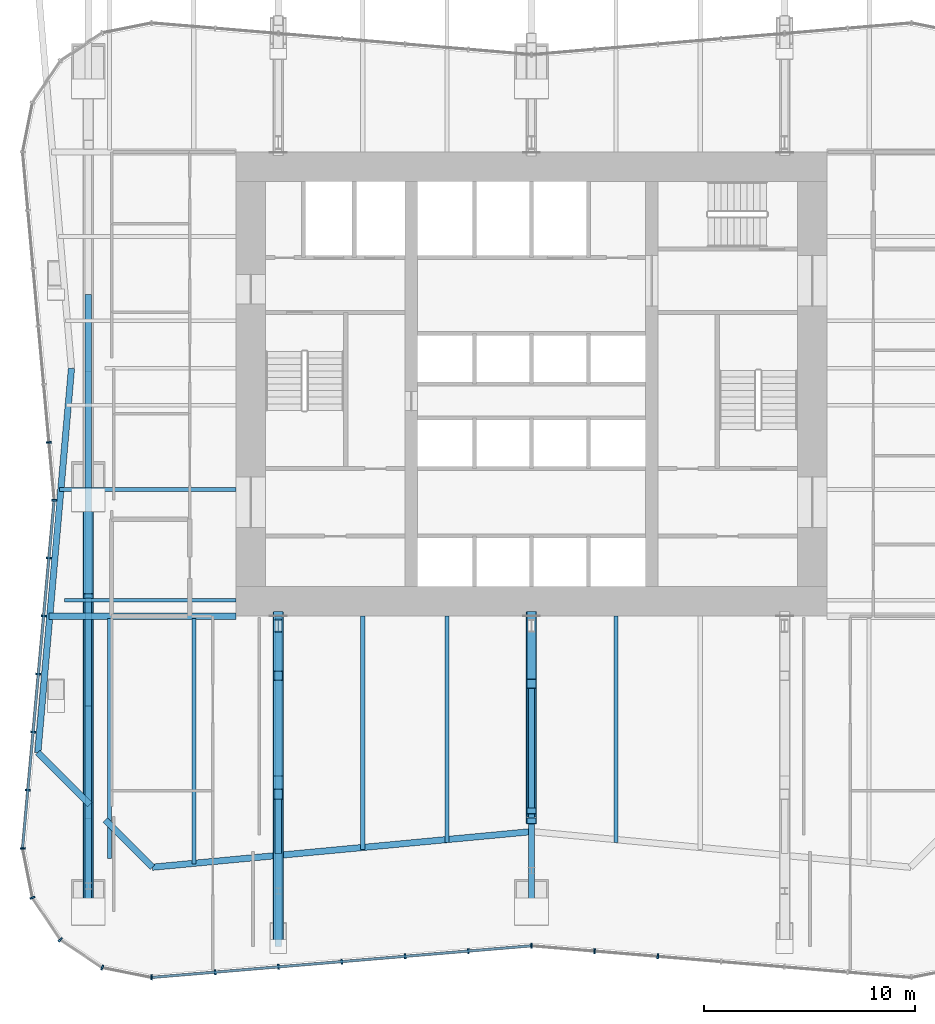
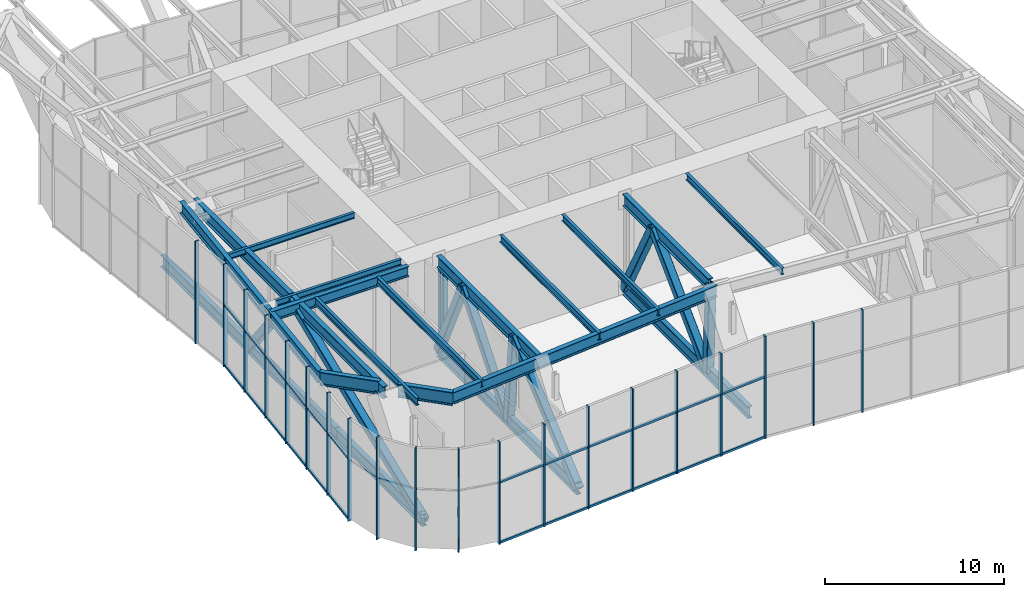
# One storey, part 5 of 17: 43 members, 12 beams, 3 elements without a shape of their own.
"""IFC4 building model written with IfcOpenShell, lengths in metres."""

from ifc_helpers import new_model, si_unit, direction, frame, origin, origin_2d, place, context, subcontext, project, spatial, rectangle, hollow_rectangle, i_section, extrude, material, material_profile, profile_set, type_object, element, aggregate, save


model = new_model("IFC4")

# Units and contexts
model_context = context("Model", 3, precision=1e-05, world=origin(), true_north=direction((0.0, 1.0)))
body_context = subcontext(model_context, "Body", "Model", "MODEL_VIEW")
ifc_project = project(units=[si_unit("LENGTHUNIT", "METRE"), si_unit("AREAUNIT", "SQUARE_METRE"), si_unit("VOLUMEUNIT", "CUBIC_METRE"), si_unit("PLANEANGLEUNIT", "RADIAN"), si_unit("MASSUNIT", "GRAM", prefix="KILO")], contexts=[model_context])

# Site, building, storey
site_placement = place(None, origin())
site = spatial("IfcSite", under=ifc_project, at=site_placement, CompositionType="ELEMENT")
building_placement = place(site_placement, origin())
building = spatial("IfcBuilding", under=site, at=building_placement, Name="Verdant Reach Tower", CompositionType="ELEMENT")
storey_placement = place(building_placement, frame((0.0, 0.0, 58.0)))
storey = spatial("IfcBuildingStorey", under=building, at=storey_placement, Name="L13 Plant", CompositionType="ELEMENT", Elevation=58.0)

# Curtain wall, members
ifc_material_1 = material(Name="Anodised aluminium", Category="aluminium")
curtain_wall_type = type_object("IfcCurtainWallType", Name="EN-CW SYSTEM PLANT", PredefinedType="NOTDEFINED", material=ifc_material_1)
curtain_wall_1_placement = place(storey_placement, origin())
curtain_wall_1 = element("IfcCurtainWall", 1, at=curtain_wall_1_placement, inside=storey, type_object=curtain_wall_type, Name="Curtain wall west, L13", PredefinedType="NOTDEFINED")
ifc_material_profile_1 = material_profile(ifc_material_1, rectangle(XDim=0.238037109375, YDim=0.080078125, at=origin_2d()), Name="Mullion 80x240")
ifc_profile_set_1 = profile_set([ifc_material_profile_1], Name="Anodised aluminium")
member_type_1 = type_object("IfcMemberType", Name="EN-MULLION PLANT", PredefinedType="MULLION", material=ifc_profile_set_1)
member_1_placement = place(storey_placement, frame((-22.868408203125, 25.2392578125, -0.35009765625), z_axis=(0.0, 0.0, 1.0), x_axis=(-0.995893206467, -0.090535746047, 0.0)))
member_1 = element("IfcMember", 2, at=member_1_placement, type_object=member_type_1, Name="Mullion west face part 1 6, L13", PredefinedType="MULLION", context=body_context, shape_type="SweptSolid", body=[
    extrude(rectangle(XDim=0.238037109375, YDim=0.080078125, at=origin_2d()), origin(), (0.0, 0.0, 1.0), 7.0),
])
member_2_placement = place(storey_placement, frame((-22.618896484375, 22.5, -0.35009765625), z_axis=(0.0, 0.0, 1.0), x_axis=(-1.0, 0.0, 0.0)))
member_2 = element("IfcMember", 3, at=member_2_placement, type_object=member_type_1, Name="Mullion west face part 2 1, L13", PredefinedType="MULLION", context=body_context, shape_type="SweptSolid", body=[
    extrude(rectangle(XDim=0.238037109375, YDim=0.080078125, at=origin_2d()), origin(), (0.0, 0.0, 1.0), 7.0),
])
member_3_placement = place(storey_placement, frame((-22.868408203125, 19.7607421875, -0.35009765625), z_axis=(0.0, 0.0, 1.0), x_axis=(-0.995893206467, 0.090535746047, 0.0)))
member_3 = element("IfcMember", 4, at=member_3_placement, type_object=member_type_1, Name="Mullion west face part 2 2, L13", PredefinedType="MULLION", context=body_context, shape_type="SweptSolid", body=[
    extrude(rectangle(XDim=0.238037109375, YDim=0.080078125, at=origin_2d()), origin(), (0.0, 0.0, 1.0), 7.0),
])
member_4_placement = place(storey_placement, frame((-23.118408203125, 17.0107421875, -0.35009765625), z_axis=(0.0, 0.0, 1.0), x_axis=(-0.995893206467, 0.090535746047, 0.0)))
member_4 = element("IfcMember", 5, at=member_4_placement, type_object=member_type_1, Name="Mullion west face part 2 3, L13", PredefinedType="MULLION", context=body_context, shape_type="SweptSolid", body=[
    extrude(rectangle(XDim=0.238037109375, YDim=0.080078125, at=origin_2d()), origin(), (0.0, 0.0, 1.0), 7.0),
])
member_5_placement = place(storey_placement, frame((-23.368408203125, 14.2607421875, -0.35009765625), z_axis=(0.0, 0.0, 1.0), x_axis=(-0.995893206467, 0.090535746047, 0.0)))
member_5 = element("IfcMember", 6, at=member_5_placement, type_object=member_type_1, Name="Mullion west face part 2 4, L13", PredefinedType="MULLION", context=body_context, shape_type="SweptSolid", body=[
    extrude(rectangle(XDim=0.238037109375, YDim=0.080078125, at=origin_2d()), origin(), (0.0, 0.0, 1.0), 7.0),
])
member_6_placement = place(storey_placement, frame((-23.618408203125, 11.5107421875, -0.35009765625), z_axis=(0.0, 0.0, 1.0), x_axis=(-0.995893206467, 0.090535746047, 0.0)))
member_6 = element("IfcMember", 7, at=member_6_placement, type_object=member_type_1, Name="Mullion west face part 2 5, L13", PredefinedType="MULLION", context=body_context, shape_type="SweptSolid", body=[
    extrude(rectangle(XDim=0.238037109375, YDim=0.080078125, at=origin_2d()), origin(), (0.0, 0.0, 1.0), 7.0),
])
member_7_placement = place(storey_placement, frame((-23.868408203125, 8.7607421875, -0.35009765625), z_axis=(0.0, 0.0, 1.0), x_axis=(-0.995893206467, 0.090535746047, 0.0)))
member_7 = element("IfcMember", 8, at=member_7_placement, type_object=member_type_1, Name="Mullion west face part 2 6, L13", PredefinedType="MULLION", context=body_context, shape_type="SweptSolid", body=[
    extrude(rectangle(XDim=0.238037109375, YDim=0.080078125, at=origin_2d()), origin(), (0.0, 0.0, 1.0), 7.0),
])

curtain_wall_2_placement = place(storey_placement, origin())
curtain_wall_2 = element("IfcCurtainWall", 9, at=curtain_wall_2_placement, inside=storey, type_object=curtain_wall_type, Name="Curtain wall south-west corner, L13", PredefinedType="NOTDEFINED")
member_8_placement = place(storey_placement, frame((-24.118896484375, 5.99365234375, -0.35009765625), z_axis=(0.0, 0.0, 1.0), x_axis=(-0.998604288049, -0.052815489107, 0.0)))
member_8 = element("IfcMember", 10, at=member_8_placement, type_object=member_type_1, Name="Mullion south-west corner 1, L13", PredefinedType="MULLION", context=body_context, shape_type="SweptSolid", body=[
    extrude(rectangle(XDim=0.238037109375, YDim=0.080078125, at=origin_2d()), origin(), (0.0, 0.0, 1.0), 7.0),
])
member_9_placement = place(storey_placement, frame((-23.6533203125, 3.658447265625, -0.35009765625), z_axis=(0.0, 0.0, 1.0), x_axis=(-0.923875215753, -0.382693853776, 0.0)))
member_9 = element("IfcMember", 11, at=member_9_placement, type_object=member_type_1, Name="Mullion south-west corner 2, L13", PredefinedType="MULLION", context=body_context, shape_type="SweptSolid", body=[
    extrude(rectangle(XDim=0.238037109375, YDim=0.080078125, at=origin_2d()), origin(), (0.0, 0.0, 1.0), 7.0),
])
member_10_placement = place(storey_placement, frame((-22.32666015625, 1.67333984375, -0.35009765625), z_axis=(0.0, 0.0, 1.0), x_axis=(-0.707106781187, -0.707106781187, 0.0)))
member_10 = element("IfcMember", 12, at=member_10_placement, type_object=member_type_1, Name="Mullion south-west corner 3, L13", PredefinedType="MULLION", context=body_context, shape_type="SweptSolid", body=[
    extrude(rectangle(XDim=0.238037109375, YDim=0.080078125, at=origin_2d()), origin(), (0.0, 0.0, 1.0), 7.0),
])
member_11_placement = place(storey_placement, frame((-20.341552734375, 0.3466796875, -0.35009765625), z_axis=(0.0, 0.0, 1.0), x_axis=(-0.382693853776, -0.923875215753, 0.0)))
member_11 = element("IfcMember", 13, at=member_11_placement, type_object=member_type_1, Name="Mullion south-west corner 4, L13", PredefinedType="MULLION", context=body_context, shape_type="SweptSolid", body=[
    extrude(rectangle(XDim=0.238037109375, YDim=0.080078125, at=origin_2d()), origin(), (0.0, 0.0, 1.0), 7.0),
])
aggregate(curtain_wall_2, [member_8, member_9, member_10, member_11])

curtain_wall_3_placement = place(storey_placement, origin())
curtain_wall_3 = element("IfcCurtainWall", 14, at=curtain_wall_3_placement, inside=storey, type_object=curtain_wall_type, Name="Curtain wall south, L13", PredefinedType="NOTDEFINED")
member_12_placement = place(storey_placement, frame((-18.0068359375, -0.118896484375, -0.35009765625), z_axis=(0.0, 0.0, 1.0), x_axis=(-0.056569187765, -0.998398681387, 0.0)))
member_12 = element("IfcMember", 15, at=member_12_placement, type_object=member_type_1, Name="Mullion south face part 1 1, L13", PredefinedType="MULLION", context=body_context, shape_type="SweptSolid", body=[
    extrude(rectangle(XDim=0.238037109375, YDim=0.080078125, at=origin_2d()), origin(), (0.0, 0.0, 1.0), 7.0),
])
member_13_placement = place(storey_placement, frame((-14.990234375, 0.13134765625, -0.35009765625), z_axis=(0.0, 0.0, 1.0), x_axis=(0.083045479859, -0.996545758244, 0.0)))
member_13 = element("IfcMember", 16, at=member_13_placement, type_object=member_type_1, Name="Mullion south face part 1 2, L13", PredefinedType="MULLION", context=body_context, shape_type="SweptSolid", body=[
    extrude(rectangle(XDim=0.238037109375, YDim=0.080078125, at=origin_2d()), origin(), (0.0, 0.0, 1.0), 7.0),
])
member_14_placement = place(storey_placement, frame((-11.990234375, 0.38134765625, -0.35009765625), z_axis=(0.0, 0.0, 1.0), x_axis=(0.083045479859, -0.996545758244, 0.0)))
member_14 = element("IfcMember", 17, at=member_14_placement, type_object=member_type_1, Name="Mullion south face part 1 3, L13", PredefinedType="MULLION", context=body_context, shape_type="SweptSolid", body=[
    extrude(rectangle(XDim=0.238037109375, YDim=0.080078125, at=origin_2d()), origin(), (0.0, 0.0, 1.0), 7.0),
])
member_15_placement = place(storey_placement, frame((-8.990234375, 0.63134765625, -0.35009765625), z_axis=(0.0, 0.0, 1.0), x_axis=(0.083045479859, -0.996545758244, 0.0)))
member_15 = element("IfcMember", 18, at=member_15_placement, type_object=member_type_1, Name="Mullion south face part 1 4, L13", PredefinedType="MULLION", context=body_context, shape_type="SweptSolid", body=[
    extrude(rectangle(XDim=0.238037109375, YDim=0.080078125, at=origin_2d()), origin(), (0.0, 0.0, 1.0), 7.0),
])
member_16_placement = place(storey_placement, frame((-5.990234375, 0.88134765625, -0.35009765625), z_axis=(0.0, 0.0, 1.0), x_axis=(0.083045479859, -0.996545758244, 0.0)))
member_16 = element("IfcMember", 19, at=member_16_placement, type_object=member_type_1, Name="Mullion south face part 1 5, L13", PredefinedType="MULLION", context=body_context, shape_type="SweptSolid", body=[
    extrude(rectangle(XDim=0.238037109375, YDim=0.080078125, at=origin_2d()), origin(), (0.0, 0.0, 1.0), 7.0),
])
member_17_placement = place(storey_placement, frame((-2.990234375, 1.13134765625, -0.35009765625), z_axis=(0.0, 0.0, 1.0), x_axis=(0.083045479859, -0.996545758244, 0.0)))
member_17 = element("IfcMember", 20, at=member_17_placement, type_object=member_type_1, Name="Mullion south face part 1 6, L13", PredefinedType="MULLION", context=body_context, shape_type="SweptSolid", body=[
    extrude(rectangle(XDim=0.238037109375, YDim=0.080078125, at=origin_2d()), origin(), (0.0, 0.0, 1.0), 7.0),
])
member_18_placement = place(storey_placement, frame((0.0, 1.381103515625, -0.35009765625), z_axis=(0.0, 0.0, 1.0), x_axis=(0.0, -1.0, 0.0)))
member_18 = element("IfcMember", 21, at=member_18_placement, type_object=member_type_1, Name="Mullion south face part 2 1, L13", PredefinedType="MULLION", context=body_context, shape_type="SweptSolid", body=[
    extrude(rectangle(XDim=0.238037109375, YDim=0.080078125, at=origin_2d()), origin(), (0.0, 0.0, 1.0), 7.0),
])
member_19_placement = place(storey_placement, frame((2.990234375, 1.13134765625, -0.35009765625), z_axis=(0.0, 0.0, 1.0), x_axis=(-0.083045479859, -0.996545758244, 0.0)))
member_19 = element("IfcMember", 22, at=member_19_placement, type_object=member_type_1, Name="Mullion south face part 2 2, L13", PredefinedType="MULLION", context=body_context, shape_type="SweptSolid", body=[
    extrude(rectangle(XDim=0.238037109375, YDim=0.080078125, at=origin_2d()), origin(), (0.0, 0.0, 1.0), 7.0),
])
member_20_placement = place(storey_placement, frame((5.990234375, 0.88134765625, -0.35009765625), z_axis=(0.0, 0.0, 1.0), x_axis=(-0.083045479859, -0.996545758244, 0.0)))
member_20 = element("IfcMember", 23, at=member_20_placement, type_object=member_type_1, Name="Mullion south face part 2 3, L13", PredefinedType="MULLION", context=body_context, shape_type="SweptSolid", body=[
    extrude(rectangle(XDim=0.238037109375, YDim=0.080078125, at=origin_2d()), origin(), (0.0, 0.0, 1.0), 7.0),
])

# Member
ifc_material_profile_2 = material_profile(ifc_material_1, rectangle(XDim=0.1201171875, YDim=0.14990234375, at=origin_2d()), Name="Transom 150x120")
ifc_profile_set_2 = profile_set([ifc_material_profile_2], Name="Anodised aluminium")
member_type_2 = type_object("IfcMemberType", Name="EN-TRANSOM PLANT", PredefinedType="USERDEFINED", material=ifc_profile_set_2)
member_21_placement = place(storey_placement, frame((-22.62255859375, 22.460205078125, -0.27490234375), z_axis=(-0.090495709418, -0.995896845349, 0.0), x_axis=(0.995896845349, -0.090495709418, 0.0)))
member_21 = element("IfcMember", 24, at=member_21_placement, type_object=member_type_2, Name="Transom west face part 2 1.1, L13", ObjectType="TRANSOM", PredefinedType="USERDEFINED", context=body_context, shape_type="SweptSolid", body=[
    extrude(rectangle(XDim=0.1201171875, YDim=0.14990234375, at=origin_2d()), origin(), (0.0, 0.0, 1.0), 16.494384765625),
])

member_22_placement = place(storey_placement, frame((-22.62255859375, 22.460205078125, 3.85009765625), z_axis=(-0.090495709418, -0.995896845349, 0.0), x_axis=(0.995896845349, -0.090495709418, 0.0)))
member_22 = element("IfcMember", 25, at=member_22_placement, type_object=member_type_2, Name="Transom west face part 2 1.2, L13", ObjectType="TRANSOM", PredefinedType="USERDEFINED", context=body_context, shape_type="SweptSolid", body=[
    extrude(rectangle(XDim=0.1201171875, YDim=0.14990234375, at=origin_2d()), origin(), (0.0, 0.0, 1.0), 16.494384765625),
])

aggregate(curtain_wall_1, [member_1, member_2, member_3, member_4, member_5, member_6, member_7, member_21, member_22])

member_23_placement = place(storey_placement, frame((-17.966796875, -0.115478515625, -0.27490234375), z_axis=(0.996549220477, 0.083003922598, 0.0), x_axis=(-0.083003922598, 0.996549220477, 0.0)))
member_23 = element("IfcMember", 26, at=member_23_placement, type_object=member_type_2, Name="Transom south face part 1 1.1, L13", ObjectType="TRANSOM", PredefinedType="USERDEFINED", context=body_context, shape_type="SweptSolid", body=[
    extrude(rectangle(XDim=0.1201171875, YDim=0.14990234375, at=origin_2d()), origin(), (0.0, 0.0, 1.0), 17.989013671875),
])

member_24_placement = place(storey_placement, frame((-17.966796875, -0.115478515625, 3.85009765625), z_axis=(0.996549220477, 0.083003922598, 0.0), x_axis=(-0.083003922598, 0.996549220477, 0.0)))
member_24 = element("IfcMember", 27, at=member_24_placement, type_object=member_type_2, Name="Transom south face part 1 1.2, L13", ObjectType="TRANSOM", PredefinedType="USERDEFINED", context=body_context, shape_type="SweptSolid", body=[
    extrude(rectangle(XDim=0.1201171875, YDim=0.14990234375, at=origin_2d()), origin(), (0.0, 0.0, 1.0), 17.989013671875),
])

aggregate(curtain_wall_3, [member_12, member_13, member_14, member_15, member_16, member_17, member_23, member_24, member_18, member_19, member_20])

# Beams
ifc_material_2 = material(Name="Steel S355", Category="steel")
ifc_material_profile_3 = material_profile(ifc_material_2, i_section(OverallWidth=0.300048828125, OverallDepth=0.699951171875, WebThickness=0.01708984375, FlangeThickness=0.031982421875, FilletRadius=0.027099609375, at=origin_2d()), Name="HEB 700")
ifc_profile_set_3 = profile_set([ifc_material_profile_3], Name="Steel S355")
beam_type_1 = type_object("IfcBeamType", Name="ST-BEAM-HEB700", PredefinedType="BEAM", material=ifc_profile_set_3)
beam_1_placement = place(storey_placement, frame((-14.0, 17.0, 6.52001953125), z_axis=(-1.0, 0.0, 0.0), x_axis=(0.0, -1.0, 0.0)))
element("IfcBeam", 28, at=beam_1_placement, inside=storey, type_object=beam_type_1, Name="Trimmer beam, L13 Plant", PredefinedType="BEAM", context=body_context, shape_type="SweptSolid", body=[
    extrude(i_section(OverallWidth=0.300048828125, OverallDepth=0.699951171875, WebThickness=0.01708984375, FlangeThickness=0.031982421875, FilletRadius=0.027099609375, at=origin_2d()), origin(), (0.0, 0.0, 1.0), 8.86376953125),
])
ifc_material_profile_4 = material_profile(ifc_material_2, i_section(OverallWidth=0.179931640625, OverallDepth=0.39990234375, WebThickness=0.008544921875, FlangeThickness=0.013427734375, FilletRadius=0.02099609375, at=origin_2d()), Name="IPE 400")
ifc_profile_set_4 = profile_set([ifc_material_profile_4], Name="Steel S355")
beam_type_2 = type_object("IfcBeamType", Name="ST-JOIST-IPE400", PredefinedType="JOIST", material=ifc_profile_set_4)
beam_2_placement = place(storey_placement, frame((-14.0, 17.75390625, 6.669921875), z_axis=(-1.0, 0.0, 0.0), x_axis=(0.0, -1.0, 0.0)))
element("IfcBeam", 29, at=beam_2_placement, inside=storey, type_object=beam_type_2, Name="Floor joist, L13 Plant", PredefinedType="JOIST", context=body_context, shape_type="SweptSolid", body=[
    extrude(i_section(OverallWidth=0.179931640625, OverallDepth=0.39990234375, WebThickness=0.008544921875, FlangeThickness=0.013427734375, FilletRadius=0.02099609375, at=origin_2d()), origin(), (0.0, 0.0, 1.0), 8.1337890625),
])
beam_3_placement = place(storey_placement, frame((-14.0, 23.0, 6.669921875), z_axis=(-1.0, 0.0, 0.0), x_axis=(0.0, -1.0, 0.0)))
element("IfcBeam", 30, at=beam_3_placement, inside=storey, type_object=beam_type_2, Name="Floor joist, L13 Plant", PredefinedType="JOIST", context=body_context, shape_type="SweptSolid", body=[
    extrude(i_section(OverallWidth=0.179931640625, OverallDepth=0.39990234375, WebThickness=0.008544921875, FlangeThickness=0.013427734375, FilletRadius=0.02099609375, at=origin_2d()), origin(), (0.0, 0.0, 1.0), 8.37060546875),
])
ifc_material_profile_5 = material_profile(ifc_material_2, i_section(OverallWidth=0.18994140625, OverallDepth=0.449951171875, WebThickness=0.009521484375, FlangeThickness=0.0146484375, FilletRadius=0.02099609375, at=origin_2d()), Name="IPE 450")
ifc_profile_set_5 = profile_set([ifc_material_profile_5], Name="Steel S355")
beam_type_3 = type_object("IfcBeamType", Name="ST-JOIST-IPE450", PredefinedType="JOIST", material=ifc_profile_set_5)
for number, where, z_axis, x_axis, name in (
    (31, (-4.0, 17.0, 6.64501953125), (0.0, -1.0, 0.0), (1.0, 0.0, 0.0), "Floor joist, L13 Plant"),
    (32, (4.0, 17.0, 6.64501953125), (0.0, -1.0, 0.0), (1.0, 0.0, 0.0), "Floor joist, L13 Plant"),
):
    element("IfcBeam", number, at=place(storey_placement, frame(where, z_axis=z_axis, x_axis=x_axis)), inside=storey, type_object=beam_type_3, Name=name, PredefinedType="JOIST", context=body_context, shape_type="SweptSolid", body=[
        extrude(i_section(OverallWidth=0.18994140625, OverallDepth=0.449951171875, WebThickness=0.009521484375, FlangeThickness=0.0146484375, FilletRadius=0.02099609375, at=origin_2d()), origin(), (0.0, 0.0, 1.0), 10.731201171875),
    ])
ifc_material_profile_6 = material_profile(ifc_material_2, i_section(OverallWidth=0.199951171875, OverallDepth=0.5, WebThickness=0.01025390625, FlangeThickness=0.01611328125, FilletRadius=0.02099609375, at=origin_2d()), Name="IPE 500")
ifc_profile_set_6 = profile_set([ifc_material_profile_6], Name="Steel S355")
beam_type_4 = type_object("IfcBeamType", Name="ST-JOIST-IPE500", PredefinedType="JOIST", material=ifc_profile_set_6)
beam_4_placement = place(storey_placement, frame((-20.0, 16.89990234375, 6.6201171875), z_axis=(0.0, -1.0, 0.0), x_axis=(1.0, 0.0, 0.0)))
element("IfcBeam", 33, at=beam_4_placement, inside=storey, type_object=beam_type_4, Name="Floor joist, L13 Plant", PredefinedType="JOIST", context=body_context, shape_type="SweptSolid", body=[
    extrude(i_section(OverallWidth=0.199951171875, OverallDepth=0.5, WebThickness=0.01025390625, FlangeThickness=0.01611328125, FilletRadius=0.02099609375, at=origin_2d()), origin(), (0.0, 0.0, 1.0), 11.390380859375),
])
beam_5_placement = place(storey_placement, frame((-16.0, 16.89990234375, 6.6201171875), z_axis=(0.0, -1.0, 0.0), x_axis=(1.0, 0.0, 0.0)))
element("IfcBeam", 34, at=beam_5_placement, inside=storey, type_object=beam_type_4, Name="Floor joist, L13 Plant", PredefinedType="JOIST", context=body_context, shape_type="SweptSolid", body=[
    extrude(i_section(OverallWidth=0.199951171875, OverallDepth=0.5, WebThickness=0.01025390625, FlangeThickness=0.01611328125, FilletRadius=0.02099609375, at=origin_2d()), origin(), (0.0, 0.0, 1.0), 11.631103515625),
])
beam_6_placement = place(storey_placement, frame((-8.0, 17.0, 6.6201171875), z_axis=(0.0, -1.0, 0.0), x_axis=(1.0, 0.0, 0.0)))
element("IfcBeam", 35, at=beam_6_placement, inside=storey, type_object=beam_type_4, Name="Floor joist, L13 Plant", PredefinedType="JOIST", context=body_context, shape_type="SweptSolid", body=[
    extrude(i_section(OverallWidth=0.199951171875, OverallDepth=0.5, WebThickness=0.01025390625, FlangeThickness=0.01611328125, FilletRadius=0.02099609375, at=origin_2d()), origin(), (0.0, 0.0, 1.0), 11.064697265625),
])
ifc_material_profile_7 = material_profile(ifc_material_2, i_section(OverallWidth=0.300048828125, OverallDepth=0.800048828125, WebThickness=0.017578125, FlangeThickness=0.032958984375, FilletRadius=0.030029296875, at=origin_2d()), Name="HEB 800")
ifc_profile_set_7 = profile_set([ifc_material_profile_7], Name="Steel S355")
beam_type_5 = type_object("IfcBeamType", Name="ST-SPANDREL-HEB800", PredefinedType="SPANDREL", material=ifc_profile_set_7)
beam_7_placement = place(storey_placement, frame((0.0, 6.7919921875, 6.469970703125), z_axis=(-0.995620226814, -0.093489913672, 0.0), x_axis=(0.093489913672, -0.995620226814, 0.0)))
element("IfcBeam", 36, at=beam_7_placement, inside=storey, type_object=beam_type_5, Name="Edge beam, L13 Plant", PredefinedType="SPANDREL", context=body_context, shape_type="SweptSolid", body=[
    extrude(i_section(OverallWidth=0.300048828125, OverallDepth=0.800048828125, WebThickness=0.017578125, FlangeThickness=0.032958984375, FilletRadius=0.030029296875, at=origin_2d()), origin(), (0.0, 0.0, 1.0), 18.044921875),
])
beam_8_placement = place(storey_placement, frame((-23.39501953125, 10.53466796875, 6.469970703125), z_axis=(0.087228233643, 0.996188353302, 0.0), x_axis=(-0.996188353302, 0.087228233643, 0.0)))
element("IfcBeam", 37, at=beam_8_placement, inside=storey, type_object=beam_type_5, Name="Edge beam, L13 Plant", PredefinedType="SPANDREL", context=body_context, shape_type="SweptSolid", body=[
    extrude(i_section(OverallWidth=0.300048828125, OverallDepth=0.800048828125, WebThickness=0.017578125, FlangeThickness=0.032958984375, FilletRadius=0.030029296875, at=origin_2d()), origin(), (0.0, 0.0, 1.0), 18.284912109375),
])
ifc_material_profile_8 = material_profile(ifc_material_2, i_section(OverallWidth=0.302001953125, OverallDepth=0.909912109375, WebThickness=0.02099609375, FlangeThickness=0.0400390625, FilletRadius=0.030029296875, at=origin_2d()), Name="HEM 900")
ifc_profile_set_8 = profile_set([ifc_material_profile_8], Name="Steel S355")
beam_type_6 = type_object("IfcBeamType", Name="ST-SPANDREL-HEM900", PredefinedType="SPANDREL", material=ifc_profile_set_8)
beam_9_placement = place(storey_placement, frame((-17.9658203125, 5.10498046875, 6.4150390625), z_axis=(-0.70706814675, 0.707145413513, 0.0), x_axis=(-0.707145413513, -0.70706814675, 0.0)))
element("IfcBeam", 38, at=beam_9_placement, inside=storey, type_object=beam_type_6, Name="Edge beam, L13 Plant", PredefinedType="SPANDREL", context=body_context, shape_type="SweptSolid", body=[
    extrude(i_section(OverallWidth=0.302001953125, OverallDepth=0.909912109375, WebThickness=0.02099609375, FlangeThickness=0.0400390625, FilletRadius=0.030029296875, at=origin_2d()), origin(), (0.0, 0.0, 1.0), 3.15966796875),
])
beam_10_placement = place(storey_placement, frame((-20.93408203125, 8.073486328125, 6.4150390625), z_axis=(-0.707071707315, 0.707141853318, 0.0), x_axis=(-0.707141853318, -0.707071707315, 0.0)))
element("IfcBeam", 39, at=beam_10_placement, inside=storey, type_object=beam_type_6, Name="Edge beam, L13 Plant", PredefinedType="SPANDREL", context=body_context, shape_type="SweptSolid", body=[
    extrude(i_section(OverallWidth=0.302001953125, OverallDepth=0.909912109375, WebThickness=0.02099609375, FlangeThickness=0.0400390625, FilletRadius=0.030029296875, at=origin_2d()), origin(), (0.0, 0.0, 1.0), 3.48046875),
])

# Members
ifc_material_3 = material(Name="Steel S460", Category="steel")
ifc_material_profile_9 = material_profile(ifc_material_3, hollow_rectangle(XDim=0.5, YDim=0.5, WallThickness=0.02490234375, InnerFilletRadius=0.02490234375, OuterFilletRadius=0.050048828125, at=origin_2d()), Name="RHS 500x500x25")
ifc_profile_set_9 = profile_set([ifc_material_profile_9], Name="Steel S460")
member_type_3 = type_object("IfcMemberType", Name="ST-TRUSS-BRACE-RHS500x500x25", PredefinedType="BRACE", material=ifc_profile_set_9)
member_25_placement = place(storey_placement, frame((-12.0, 17.0, 0.406982421875), z_axis=(0.0, -0.421213359754, 0.90696157888), x_axis=(1.0, 0.0, 0.0)))
element("IfcMember", 40, at=member_25_placement, inside=storey, type_object=member_type_3, Name="Outrigger truss C south, diagonal, L13 Plant", PredefinedType="BRACE", context=body_context, shape_type="SweptSolid", body=[
    extrude(hollow_rectangle(XDim=0.5, YDim=0.5, WallThickness=0.02490234375, InnerFilletRadius=0.02490234375, OuterFilletRadius=0.050048828125, at=origin_2d()), origin(), (0.0, 0.0, 1.0), 6.67724609375),
])
member_26_placement = place(storey_placement, frame((-12.0, 14.1875, 6.462890625), z_axis=(0.0, -0.637433567857, -0.770505318975), x_axis=(1.0, 0.0, 0.0)))
element("IfcMember", 41, at=member_26_placement, inside=storey, type_object=member_type_3, Name="Outrigger truss C south, diagonal, L13 Plant", PredefinedType="BRACE", context=body_context, shape_type="SweptSolid", body=[
    extrude(hollow_rectangle(XDim=0.5, YDim=0.5, WallThickness=0.02490234375, InnerFilletRadius=0.02490234375, OuterFilletRadius=0.050048828125, at=origin_2d()), origin(), (0.0, 0.0, 1.0), 7.859619140625),
])
member_27_placement = place(storey_placement, frame((-12.0, 9.177490234375, 0.406982421875), z_axis=(0.0, -0.100953078818, 0.994891187958), x_axis=(1.0, 0.0, 0.0)))
element("IfcMember", 42, at=member_27_placement, inside=storey, type_object=member_type_3, Name="Outrigger truss C south, diagonal, L13 Plant", PredefinedType="BRACE", context=body_context, shape_type="SweptSolid", body=[
    extrude(hollow_rectangle(XDim=0.5, YDim=0.5, WallThickness=0.02490234375, InnerFilletRadius=0.02490234375, OuterFilletRadius=0.050048828125, at=origin_2d()), origin(), (0.0, 0.0, 1.0), 6.0869140625),
])
member_28_placement = place(storey_placement, frame((-12.0, 8.56298828125, 6.462890625), z_axis=(0.0, -0.76564304558, -0.64326567354), x_axis=(1.0, 0.0, 0.0)))
element("IfcMember", 43, at=member_28_placement, inside=storey, type_object=member_type_3, Name="Outrigger truss C south, diagonal, L13 Plant", PredefinedType="BRACE", context=body_context, shape_type="SweptSolid", body=[
    extrude(hollow_rectangle(XDim=0.5, YDim=0.5, WallThickness=0.02490234375, InnerFilletRadius=0.02490234375, OuterFilletRadius=0.050048828125, at=origin_2d()), origin(), (0.0, 0.0, 1.0), 9.414306640625),
])
member_29_placement = place(storey_placement, frame((0.0, 17.0, 0.406982421875), z_axis=(0.0, -0.467162044564, 0.884171716421), x_axis=(1.0, 0.0, 0.0)))
element("IfcMember", 44, at=member_29_placement, inside=storey, type_object=member_type_3, Name="Outrigger truss D south, diagonal, L13 Plant", PredefinedType="BRACE", context=body_context, shape_type="SweptSolid", body=[
    extrude(hollow_rectangle(XDim=0.5, YDim=0.5, WallThickness=0.02490234375, InnerFilletRadius=0.02490234375, OuterFilletRadius=0.050048828125, at=origin_2d()), origin(), (0.0, 0.0, 1.0), 6.849365234375),
])
member_30_placement = place(storey_placement, frame((0.0, 13.80029296875, 6.462890625), z_axis=(0.0, -0.711400203617, -0.702787130142), x_axis=(1.0, 0.0, 0.0)))
element("IfcMember", 45, at=member_30_placement, inside=storey, type_object=member_type_3, Name="Outrigger truss D south, diagonal, L13 Plant", PredefinedType="BRACE", context=body_context, shape_type="SweptSolid", body=[
    extrude(hollow_rectangle(XDim=0.5, YDim=0.5, WallThickness=0.02490234375, InnerFilletRadius=0.02490234375, OuterFilletRadius=0.050048828125, at=origin_2d()), origin(), (0.0, 0.0, 1.0), 8.616943359375),
])
member_31_placement = place(storey_placement, frame((0.0, 7.670166015625, 0.406982421875), z_axis=(0.0, -0.044463139377, 0.999011025583), x_axis=(1.0, 0.0, 0.0)))
element("IfcMember", 46, at=member_31_placement, inside=storey, type_object=member_type_3, Name="Outrigger truss D south, diagonal, L13 Plant", PredefinedType="BRACE", context=body_context, shape_type="SweptSolid", body=[
    extrude(hollow_rectangle(XDim=0.5, YDim=0.5, WallThickness=0.02490234375, InnerFilletRadius=0.02490234375, OuterFilletRadius=0.050048828125, at=origin_2d()), origin(), (0.0, 0.0, 1.0), 6.06201171875),
])
member_32_placement = place(storey_placement, frame((-21.0, 3.005126953125, 0.406982421875), z_axis=(0.0, 0.926219951132, 0.376983556836), x_axis=(-1.0, 0.0, 0.0)))
element("IfcMember", 47, at=member_32_placement, inside=storey, type_object=member_type_3, Name="Transfer truss B west, diagonal, L13 Plant", PredefinedType="BRACE", context=body_context, shape_type="SweptSolid", body=[
    extrude(hollow_rectangle(XDim=0.5, YDim=0.5, WallThickness=0.02490234375, InnerFilletRadius=0.02490234375, OuterFilletRadius=0.050048828125, at=origin_2d()), origin(), (0.0, 0.0, 1.0), 16.064208984375),
])
member_33_placement = place(storey_placement, frame((-21.0, 17.884033203125, 6.462890625), z_axis=(0.0, 0.606792150197, -0.794860545291), x_axis=(-1.0, 0.0, 0.0)))
element("IfcMember", 48, at=member_33_placement, inside=storey, type_object=member_type_3, Name="Transfer truss B west, diagonal, L13 Plant", PredefinedType="BRACE", context=body_context, shape_type="SweptSolid", body=[
    extrude(hollow_rectangle(XDim=0.5, YDim=0.5, WallThickness=0.02490234375, InnerFilletRadius=0.02490234375, OuterFilletRadius=0.050048828125, at=origin_2d()), origin(), (0.0, 0.0, 1.0), 7.618896484375),
])
ifc_material_profile_10 = material_profile(ifc_material_3, i_section(OverallWidth=0.302978515625, OverallDepth=0.81396484375, WebThickness=0.02099609375, FlangeThickness=0.0400390625, FilletRadius=0.030029296875, at=origin_2d()), Name="HEM 800")
ifc_profile_set_10 = profile_set([ifc_material_profile_10], Name="Steel S460")
member_type_4 = type_object("IfcMemberType", Name="ST-TRUSS-CHORD-HEM800", PredefinedType="CHORD", material=ifc_profile_set_10)
member_34_placement = place(storey_placement, frame((-12.0, 17.0, 6.462890625), z_axis=(0.0, -1.0, 0.0), x_axis=(1.0, 0.0, 0.0)))
element("IfcMember", 49, at=member_34_placement, inside=storey, type_object=member_type_4, Name="Outrigger truss C south, top chord, L13 Plant", PredefinedType="CHORD", context=body_context, shape_type="SweptSolid", body=[
    extrude(i_section(OverallWidth=0.302978515625, OverallDepth=0.81396484375, WebThickness=0.02099609375, FlangeThickness=0.0400390625, FilletRadius=0.030029296875, at=origin_2d()), origin(), (0.0, 0.0, 1.0), 11.24951171875),
])
member_35_placement = place(storey_placement, frame((-12.0, 17.0, 0.406982421875), z_axis=(0.0, -1.0, 0.0), x_axis=(1.0, 0.0, 0.0)))
element("IfcMember", 50, at=member_35_placement, inside=storey, type_object=member_type_4, Name="Outrigger truss C south, bottom chord, L13 Plant", PredefinedType="CHORD", context=body_context, shape_type="SweptSolid", body=[
    extrude(i_section(OverallWidth=0.302978515625, OverallDepth=0.81396484375, WebThickness=0.02099609375, FlangeThickness=0.0400390625, FilletRadius=0.030029296875, at=origin_2d()), origin(), (0.0, 0.0, 1.0), 15.64501953125),
])
member_36_placement = place(storey_placement, frame((0.0, 17.0, 6.462890625), z_axis=(0.0, -1.0, 0.0), x_axis=(1.0, 0.0, 0.0)))
element("IfcMember", 51, at=member_36_placement, inside=storey, type_object=member_type_4, Name="Outrigger truss D south, top chord, L13 Plant", PredefinedType="CHORD", context=body_context, shape_type="SweptSolid", body=[
    extrude(i_section(OverallWidth=0.302978515625, OverallDepth=0.81396484375, WebThickness=0.02099609375, FlangeThickness=0.0400390625, FilletRadius=0.030029296875, at=origin_2d()), origin(), (0.0, 0.0, 1.0), 9.599365234375),
])
member_37_placement = place(storey_placement, frame((0.0, 17.0, 0.406982421875), z_axis=(0.0, -1.0, 0.0), x_axis=(1.0, 0.0, 0.0)))
element("IfcMember", 52, at=member_37_placement, inside=storey, type_object=member_type_4, Name="Outrigger truss D south, bottom chord, L13 Plant", PredefinedType="CHORD", context=body_context, shape_type="SweptSolid", body=[
    extrude(i_section(OverallWidth=0.302978515625, OverallDepth=0.81396484375, WebThickness=0.02099609375, FlangeThickness=0.0400390625, FilletRadius=0.030029296875, at=origin_2d()), origin(), (0.0, 0.0, 1.0), 13.994873046875),
])
member_38_placement = place(storey_placement, frame((-21.0, 7.400634765625, 6.462890625), z_axis=(0.0, 1.0, 0.0), x_axis=(-1.0, 0.0, 0.0)))
element("IfcMember", 53, at=member_38_placement, inside=storey, type_object=member_type_4, Name="Transfer truss B west, top chord, L13 Plant", PredefinedType="CHORD", context=body_context, shape_type="SweptSolid", body=[
    extrude(i_section(OverallWidth=0.302978515625, OverallDepth=0.81396484375, WebThickness=0.02099609375, FlangeThickness=0.0400390625, FilletRadius=0.030029296875, at=origin_2d()), origin(), (0.0, 0.0, 1.0), 10.4833984375),
])
member_39_placement = place(storey_placement, frame((-21.0, 3.005126953125, 0.406982421875), z_axis=(0.0, 1.0, 0.0), x_axis=(-1.0, 0.0, 0.0)))
element("IfcMember", 54, at=member_39_placement, inside=storey, type_object=member_type_4, Name="Transfer truss B west, bottom chord, L13 Plant", PredefinedType="CHORD", context=body_context, shape_type="SweptSolid", body=[
    extrude(i_section(OverallWidth=0.302978515625, OverallDepth=0.81396484375, WebThickness=0.02099609375, FlangeThickness=0.0400390625, FilletRadius=0.030029296875, at=origin_2d()), origin(), (0.0, 0.0, 1.0), 9.750732421875),
])
member_40_placement = place(storey_placement, frame((-21.0, 17.884033203125, 6.462890625), z_axis=(0.0, 1.0, 0.0), x_axis=(-1.0, 0.0, 0.0)))
element("IfcMember", 55, at=member_40_placement, inside=storey, type_object=member_type_4, Name="Transfer truss B west, top chord, L13 Plant", PredefinedType="CHORD", context=body_context, shape_type="SweptSolid", body=[
    extrude(i_section(OverallWidth=0.302978515625, OverallDepth=0.81396484375, WebThickness=0.02099609375, FlangeThickness=0.0400390625, FilletRadius=0.030029296875, at=origin_2d()), origin(), (0.0, 0.0, 1.0), 10.727783203125),
])
for number, where, z_axis, x_axis, name in (
    (56, (-21.0, 12.755859375, 0.406982421875), (0.0, 1.0, 0.0), (-1.0, 0.0, 0.0), "Transfer truss B west, bottom chord, L13 Plant"),
    (57, (-21.0, 22.507080078125, 0.406982421875), (0.0, 1.0, 0.0), (-1.0, 0.0, 0.0), "Transfer truss B west, bottom chord, L13 Plant"),
):
    element("IfcMember", number, at=place(storey_placement, frame(where, z_axis=z_axis, x_axis=x_axis)), inside=storey, type_object=member_type_4, Name=name, PredefinedType="CHORD", context=body_context, shape_type="SweptSolid", body=[
        extrude(i_section(OverallWidth=0.302978515625, OverallDepth=0.81396484375, WebThickness=0.02099609375, FlangeThickness=0.0400390625, FilletRadius=0.030029296875, at=origin_2d()), origin(), (0.0, 0.0, 1.0), 9.751220703125),
    ])
ifc_material_profile_11 = material_profile(ifc_material_3, i_section(OverallWidth=0.304931640625, OverallDepth=0.6201171875, WebThickness=0.02099609375, FlangeThickness=0.0400390625, FilletRadius=0.027099609375, at=origin_2d()), Name="HEM 600")
ifc_profile_set_11 = profile_set([ifc_material_profile_11], Name="Steel S460")
member_type_5 = type_object("IfcMemberType", Name="ST-TRUSS-POST-HEM600", PredefinedType="POST", material=ifc_profile_set_11)
member_41_placement = place(storey_placement, frame((-12.0, 16.550048828125, 0.833984375), z_axis=(0.0, 0.0, 1.0), x_axis=(1.0, 0.0, 0.0)))
element("IfcMember", 58, at=member_41_placement, inside=storey, type_object=member_type_5, Name="Outrigger truss C south, end post, L13 Plant", PredefinedType="POST", context=body_context, shape_type="SweptSolid", body=[
    extrude(i_section(OverallWidth=0.304931640625, OverallDepth=0.6201171875, WebThickness=0.02099609375, FlangeThickness=0.0400390625, FilletRadius=0.027099609375, at=origin_2d()), origin(), (0.0, 0.0, 1.0), 5.201904296875),
])

save(model, "model.ifc")
